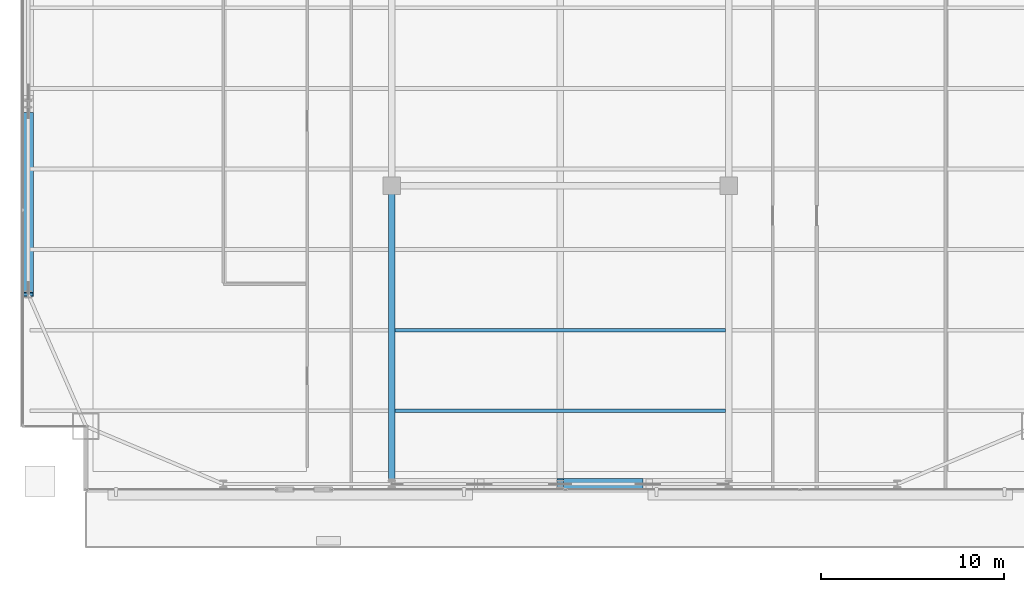
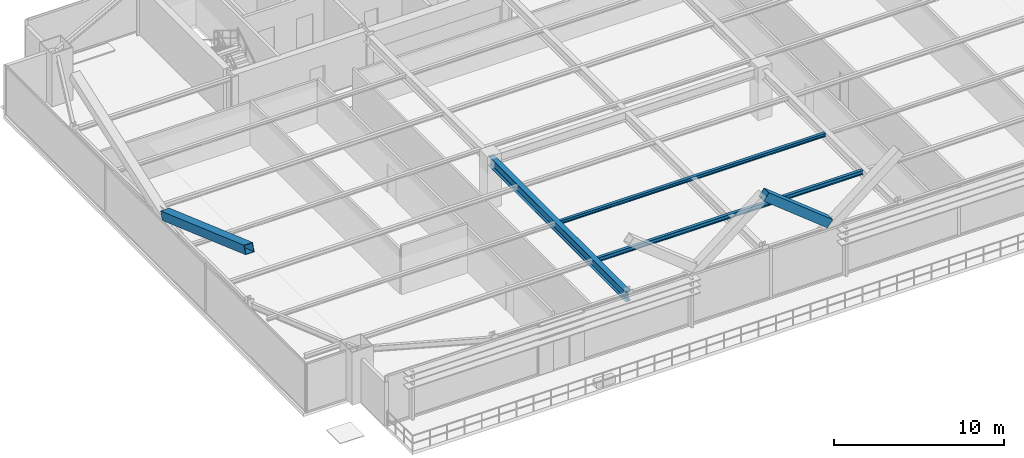
# One storey, part 7 of 35: 3 beams, 2 members.
"""IFC4 building model written with IfcOpenShell, lengths in metres."""

import ifcopenshell
import ifcopenshell.guid

model = None  # the IFC model being written
_history = None  # IfcOwnerHistory: only IFC2X3 demands one
_inside = {}  # id of a spatial element -> (the spatial element, [elements in it])
_under = {}  # id of a project, library or spatial element -> (it, [spatial elements below it])
_declared = {}  # id of a project -> (the project, [libraries it declares])
_typed = {}  # id of a type object -> (the type object, [elements of that type])
_made_of = {}  # id of a material, layer set ... -> (it, [elements and type objects made of it])


def new_model(schema):
    """Start an empty IFC model of exactly this schema.

    Asked for "IFC4X3", IfcOpenShell would pick the latest addendum, in which some entities
    have other attributes; the version numbers below select the first issue.
    IFC2X3 requires an IfcOwnerHistory on every rooted entity: one is made here for all.
    """
    global model, _history
    if schema == "IFC4X3":
        model = ifcopenshell.file(schema_version=(4, 3, 0, 0))
    else:
        model = ifcopenshell.file(schema=schema)
    _inside.clear()
    _under.clear()
    _declared.clear()
    _typed.clear()
    _made_of.clear()
    _history = None
    if model.schema == "IFC2X3":
        org = make("IfcOrganization", Name="unknown")
        user = make(
            "IfcPersonAndOrganization",
            ThePerson=make("IfcPerson", FamilyName="unknown"),
            TheOrganization=org,
        )
        app = make(
            "IfcApplication",
            ApplicationDeveloper=org,
            Version="unknown",
            ApplicationFullName="unknown",
            ApplicationIdentifier="unknown",
        )
        _history = make(
            "IfcOwnerHistory",
            OwningUser=user,
            OwningApplication=app,
            ChangeAction="ADDED",
            CreationDate=0,
        )
    return model


def make(cls, **values):
    """One entity of the class cls with the attributes given. An attribute that is None is left unset."""
    return model.create_entity(
        cls, **{name: value for name, value in values.items() if value is not None}
    )


def rooted(cls, **values):
    """An entity with a GlobalId (a new one), such as an element, a storey or a relation."""
    return make(cls, GlobalId=ifcopenshell.guid.new(), OwnerHistory=_history, **values)


def si_unit(unit_type, name, prefix=None):
    """IfcSIUnit, for example si_unit("LENGTHUNIT", "METRE", prefix="MILLI")."""
    return make("IfcSIUnit", UnitType=unit_type, Prefix=prefix, Name=name)


def assignment(units):
    """IfcUnitAssignment: the units of a project."""
    return None if units is None else make("IfcUnitAssignment", Units=units)


def point(xyz):
    """IfcCartesianPoint."""
    return None if xyz is None else make("IfcCartesianPoint", Coordinates=xyz)


def direction(xyz):
    """IfcDirection."""
    return None if xyz is None else make("IfcDirection", DirectionRatios=xyz)


def frame(location, z_axis=None, x_axis=None):
    """IfcAxis2Placement3D, a coordinate frame: its origin and axes. An axis left out is left unset."""
    return make(
        "IfcAxis2Placement3D",
        Location=point(location),
        Axis=direction(z_axis),
        RefDirection=direction(x_axis),
    )


def frame_2d(location, x_axis=None):
    """IfcAxis2Placement2D, a coordinate frame in the plane: its origin and x axis."""
    return make(
        "IfcAxis2Placement2D", Location=point(location), RefDirection=direction(x_axis)
    )


def origin():
    """The frame at (0, 0, 0) with its axes left unset."""
    return frame((0.0, 0.0, 0.0))


def origin_2d():
    """The frame at (0, 0) in the plane with its x axis left unset."""
    return frame_2d((0.0, 0.0))


def place(relative_to, where):
    """IfcLocalPlacement: puts the frame where relative to a parent placement (None: the world)."""
    return make(
        "IfcLocalPlacement", PlacementRelTo=relative_to, RelativePlacement=where
    )


def context(
    kind, dimensions, precision=None, world=None, true_north=None, identifier=None
):
    """IfcGeometricRepresentationContext, for example the 3D "Model" context."""
    return make(
        "IfcGeometricRepresentationContext",
        ContextIdentifier=identifier,
        ContextType=kind,
        CoordinateSpaceDimension=dimensions,
        Precision=precision,
        WorldCoordinateSystem=world,
        TrueNorth=true_north,
    )


def subcontext(parent, identifier, kind, view, scale=None):
    """IfcGeometricRepresentationSubContext, for example "Body" below "Model"."""
    return make(
        "IfcGeometricRepresentationSubContext",
        ContextIdentifier=identifier,
        ContextType=kind,
        ParentContext=parent,
        TargetScale=scale,
        TargetView=view,
    )


def project(units=None, contexts=None):
    """IfcProject with its units and contexts."""
    return rooted(
        "IfcProject",
        Name="project",
        RepresentationContexts=contexts,
        UnitsInContext=assignment(units),
    )


def spatial(cls, under=None, at=None, **own):
    """A site, building, storey or space (cls), placed at a placement, below another one or the project."""
    s = rooted(cls, ObjectPlacement=at, **own)
    if under is not None:
        _under.setdefault(under.id(), (under, []))[1].append(s)
    return s


def profile(cls, at=None, kind="AREA", **sizes):
    """A parametric profile (cls). Its sizes go by their IFC names, for example OverallWidth=200.0."""
    return make(cls, ProfileType=kind, Position=at, **sizes)


def hollow_rectangle(**sizes):
    """IfcRectangleHollowProfileDef."""
    return profile("IfcRectangleHollowProfileDef", **sizes)


def i_section(**sizes):
    """IfcIShapeProfileDef."""
    return profile("IfcIShapeProfileDef", **sizes)


def extrude(swept, where, along, depth):
    """IfcExtrudedAreaSolid: the profile swept, set in the frame where, extruded along a direction by depth."""
    return make(
        "IfcExtrudedAreaSolid",
        SweptArea=swept,
        Position=where,
        ExtrudedDirection=direction(along),
        Depth=depth,
    )


def shape(context_of_items, identifier, shape_type, items):
    """IfcShapeRepresentation: the items that make up one representation, for example the "Body"."""
    return make(
        "IfcShapeRepresentation",
        ContextOfItems=context_of_items,
        RepresentationIdentifier=identifier,
        RepresentationType=shape_type,
        Items=items,
    )


def source(mapping_origin, context_of_items, identifier, shape_type, items):
    """IfcRepresentationMap: a shape defined once, which mapped items show again and again."""
    return make(
        "IfcRepresentationMap",
        MappingOrigin=mapping_origin,
        MappedRepresentation=shape(context_of_items, identifier, shape_type, items),
    )


def transform(
    local_origin,
    x_axis=None,
    y_axis=None,
    z_axis=None,
    scale=None,
    scale2=None,
    scale3=None,
    uniform=True,
):
    """IfcCartesianTransformationOperator3D, or its non-uniform kind. x_axis, y_axis, z_axis: its Axis1, 2, 3."""
    if uniform:
        return make(
            "IfcCartesianTransformationOperator3D",
            Axis1=direction(x_axis),
            Axis2=direction(y_axis),
            LocalOrigin=point(local_origin),
            Scale=scale,
            Axis3=direction(z_axis),
        )
    return make(
        "IfcCartesianTransformationOperator3DnonUniform",
        Axis1=direction(x_axis),
        Axis2=direction(y_axis),
        LocalOrigin=point(local_origin),
        Scale=scale,
        Axis3=direction(z_axis),
        Scale2=scale2,
        Scale3=scale3,
    )


def mapped(mapping_source, mapping_target):
    """IfcMappedItem: shows the shape of a source again, moved by a transform."""
    return make(
        "IfcMappedItem", MappingSource=mapping_source, MappingTarget=mapping_target
    )


def material(Name=None, Category=None):
    """IfcMaterial."""
    return make("IfcMaterial", Name=Name, Category=Category)


def material_profile(
    of_material, cross_section, Name=None, Category=None, Priority=None
):
    """IfcMaterialProfile: a cross section and its material."""
    return make(
        "IfcMaterialProfile",
        Name=Name,
        Material=of_material,
        Profile=cross_section,
        Priority=Priority,
        Category=Category,
    )


def profile_set(profiles, Name=None, composite=None):
    """IfcMaterialProfileSet."""
    return make(
        "IfcMaterialProfileSet",
        Name=Name,
        MaterialProfiles=profiles,
        CompositeProfile=composite,
    )


def made_of(thing, what):
    """Note that an element or type object is made of a material, layer set ...; save() writes the relation."""
    if what is not None:
        _made_of.setdefault(what.id(), (what, []))[1].append(thing)
    return thing


def type_object(cls, material=None, **own):
    """A type object (cls), such as IfcWallType, which elements share."""
    return made_of(rooted(cls, **own), material)


def type_shapes(of_type, sources):
    """Give a type object the sources (RepresentationMaps) that its elements show as mapped items."""
    of_type.RepresentationMaps = sources


def element(
    cls,
    number,
    at=None,
    inside=None,
    cuts=None,
    type_object=None,
    material=None,
    context=None,
    identifier="Body",
    shape_type=None,
    held_by="IfcProductDefinitionShape",
    body=None,
    shapes=None,
    **own,
):
    """One element of the class cls, such as IfcWall. Its Tag is "e" and its number.

    at: its placement. inside: the storey or other place that contains it. cuts: it is an
    opening in that element (IfcRelVoidsElement). A single representation is given by context,
    identifier, shape_type and body (its items); several are given by shapes. held_by: the class
    of the entity that holds the representations. save() writes the other relations.
    """
    e = rooted(cls, Tag="e%d" % number, ObjectPlacement=at, **own)
    if body is not None:
        shapes = [shape(context, identifier, shape_type, body)]
    if shapes is not None:
        e.Representation = make(held_by, Representations=shapes)
    if inside is not None:
        _inside.setdefault(inside.id(), (inside, []))[1].append(e)
    if cuts is not None:
        rooted(
            "IfcRelVoidsElement", RelatingBuildingElement=cuts, RelatedOpeningElement=e
        )
    if type_object is not None:
        _typed.setdefault(type_object.id(), (type_object, []))[1].append(e)
    return made_of(e, material)


def aggregate(whole, parts):
    """IfcRelAggregates: a whole, such as a stair, and the parts it consists of."""
    return rooted("IfcRelAggregates", RelatingObject=whole, RelatedObjects=parts)


def save(model, path):
    """Write the relations noted so far, then the file.

    IfcRelAggregates (storeys below a building ...), IfcRelContainedInSpatialStructure (elements
    in a storey), IfcRelDefinesByType, IfcRelAssociatesMaterial and IfcRelDeclares: one each for
    every whole, place, type object, material and project.
    """
    for whole, parts in _under.values():
        aggregate(whole, parts)
    for where, things in _inside.values():
        rooted(
            "IfcRelContainedInSpatialStructure",
            RelatedElements=things,
            RelatingStructure=where,
        )
    for kind, things in _typed.values():
        rooted("IfcRelDefinesByType", RelatedObjects=things, RelatingType=kind)
    for what, things in _made_of.values():
        rooted("IfcRelAssociatesMaterial", RelatedObjects=things, RelatingMaterial=what)
    for by, libraries in _declared.values():
        rooted("IfcRelDeclares", RelatingContext=by, RelatedDefinitions=libraries)
    model.write(path)


model = new_model("IFC4")

# Units and contexts
model_context = context("Model", 3, precision=1e-05, world=origin(), true_north=direction((0.0, 1.0)))
body_context = subcontext(model_context, "Body", "Model", "MODEL_VIEW")
ifc_project = project(units=[si_unit("LENGTHUNIT", "METRE"), si_unit("AREAUNIT", "SQUARE_METRE"), si_unit("VOLUMEUNIT", "CUBIC_METRE"), si_unit("PLANEANGLEUNIT", "RADIAN"), si_unit("MASSUNIT", "GRAM", prefix="KILO")], contexts=[model_context])

# Site, building, storey
site_placement = place(None, origin())
site = spatial("IfcSite", under=ifc_project, at=site_placement, CompositionType="ELEMENT")
building_placement = place(site_placement, origin())
building = spatial("IfcBuilding", under=site, at=building_placement, Name="Varnel Quay Broadcast Tower", CompositionType="ELEMENT")
storey_placement = place(building_placement, frame((0.0, 0.0, 87.0)))
storey = spatial("IfcBuildingStorey", under=building, at=storey_placement, Name="L20", CompositionType="ELEMENT", Elevation=87.0)

# Beams
ifc_material_1 = material(Name="Structural Steel CSA G40.21 350W", Category="steel")
ifc_material_profile_1 = material_profile(ifc_material_1, i_section(OverallWidth=0.35498046875, OverallDepth=0.695068359375, WebThickness=0.015380859375, FlangeThickness=0.02490234375, FilletRadius=0.01806640625, at=origin_2d()), Name="W690X217")
ifc_profile_set_1 = profile_set([ifc_material_profile_1], Name="Structural Steel CSA G40.21 350W")
beam_type_1 = type_object("IfcBeamType", Name="Girder_W690X217", PredefinedType="BEAM", material=ifc_profile_set_1)
shared_shape_1 = source(origin(), body_context, "Body", "SweptSolid", [
    extrude(i_section(OverallWidth=0.35498046875, OverallDepth=0.695068359375, WebThickness=0.015380859375, FlangeThickness=0.02490234375, FilletRadius=0.01806640625, at=origin_2d()), origin(), (0.0, 0.0, 1.0), 16.239990234375),
])
type_shapes(beam_type_1, [shared_shape_1])
beam_1_placement = place(storey_placement, frame((24.800048828125, 4.669921875, 3.202392578125), z_axis=(0.0, 1.0, 0.0), x_axis=(-1.0, 0.0, 0.0)))
element("IfcBeam", 1, at=beam_1_placement, inside=storey, type_object=beam_type_1, Name="L20 Primary Girder TC-S2-IC-01", PredefinedType="BEAM", context=body_context, shape_type="MappedRepresentation", body=[
    mapped(shared_shape_1, transform((0.0, 0.0, 0.0), x_axis=(1.0, 0.0, 0.0), y_axis=(0.0, 1.0, 0.0), z_axis=(0.0, 0.0, 1.0), scale=1.0)),
])
ifc_material_profile_2 = material_profile(ifc_material_1, i_section(OverallWidth=0.202880859375, OverallDepth=0.302978515625, WebThickness=0.007568359375, FlangeThickness=0.01318359375, FilletRadius=0.011962890625, at=origin_2d()), Name="W310X60")
ifc_profile_set_2 = profile_set([ifc_material_profile_2], Name="Structural Steel CSA G40.21 350W")
beam_type_2 = type_object("IfcBeamType", Name="Beam_W310X60", PredefinedType="JOIST", material=ifc_profile_set_2)
shared_shape_2 = source(origin(), body_context, "Body", "SweptSolid", [
    extrude(i_section(OverallWidth=0.202880859375, OverallDepth=0.302978515625, WebThickness=0.007568359375, FlangeThickness=0.01318359375, FilletRadius=0.011962890625, at=origin_2d()), origin(), (0.0, 0.0, 1.0), 18.05517578125),
])
type_shapes(beam_type_2, [shared_shape_2])
beam_2_placement = place(storey_placement, frame((24.972412109375, 8.64990234375, 3.3984375), z_axis=(1.0, 0.0, 0.0), x_axis=(0.0, 1.0, 0.0)))
element("IfcBeam", 2, at=beam_2_placement, inside=storey, type_object=beam_type_2, Name="L20 Central Floor Joist 1", PredefinedType="JOIST", context=body_context, shape_type="MappedRepresentation", body=[
    mapped(shared_shape_2, transform((0.0, 0.0, 0.0), x_axis=(1.0, 0.0, 0.0), y_axis=(0.0, 1.0, 0.0), z_axis=(0.0, 0.0, 1.0), scale=1.0)),
])
ifc_material_profile_3 = material_profile(ifc_material_1, i_section(OverallWidth=0.201904296875, OverallDepth=0.2470703125, WebThickness=0.00732421875, FlangeThickness=0.010986328125, FilletRadius=0.010986328125, at=origin_2d()), Name="W250X49")
ifc_profile_set_3 = profile_set([ifc_material_profile_3], Name="Structural Steel CSA G40.21 350W")
beam_type_3 = type_object("IfcBeamType", Name="Beam_W250X49", PredefinedType="JOIST", material=ifc_profile_set_3)
shared_shape_3 = source(origin(), body_context, "Body", "SweptSolid", [
    extrude(i_section(OverallWidth=0.201904296875, OverallDepth=0.2470703125, WebThickness=0.00732421875, FlangeThickness=0.010986328125, FilletRadius=0.010986328125, at=origin_2d()), origin(), (0.0, 0.0, 1.0), 18.05517578125),
])
type_shapes(beam_type_3, [shared_shape_3])
beam_3_placement = place(storey_placement, frame((24.972412109375, 13.050048828125, 3.426513671875), z_axis=(1.0, 0.0, 0.0), x_axis=(0.0, 1.0, 0.0)))
element("IfcBeam", 3, at=beam_3_placement, inside=storey, type_object=beam_type_3, Name="L20 Central Floor Joist 2", PredefinedType="JOIST", context=body_context, shape_type="MappedRepresentation", body=[
    mapped(shared_shape_3, transform((0.0, 0.0, 0.0), x_axis=(1.0, 0.0, 0.0), y_axis=(0.0, 1.0, 0.0), z_axis=(0.0, 0.0, 1.0), scale=1.0)),
])

# Members
ifc_material_2 = material(Name="Structural Steel CSA G40.21 350WT", Category="steel")
ifc_material_profile_4 = material_profile(ifc_material_2, hollow_rectangle(XDim=0.60009765625, YDim=0.60009765625, WallThickness=0.028076171875, at=origin_2d()), Name="BOX600X600X28")
ifc_profile_set_4 = profile_set([ifc_material_profile_4], Name="Structural Steel CSA G40.21 350WT")
member_type = type_object("IfcMemberType", Name="Brace_BOX600X600X28", PredefinedType="BRACE", material=ifc_profile_set_4)
shared_shape_4 = source(origin(), body_context, "Body", "SweptSolid", [
    extrude(hollow_rectangle(XDim=0.60009765625, YDim=0.60009765625, WallThickness=0.028076171875, at=origin_2d()), origin(), (0.0, 0.0, 1.0), 5.54248046875),
])
member_1_placement = place(storey_placement, frame((38.33935546875, 4.64990234375, 3.882080078125), z_axis=(-0.782931626788, 0.0, 0.622107762188), x_axis=(0.0, -1.0, 0.0)))
element("IfcMember", 4, at=member_1_placement, inside=storey, type_object=member_type, Name="Zone 2 Mega-Brace S-C2T1 Split Diag B2", PredefinedType="BRACE", context=body_context, shape_type="MappedRepresentation", body=[
    mapped(shared_shape_4, transform((0.0, 0.0, 0.0), x_axis=(1.0, 0.0, 0.0), y_axis=(0.0, 1.0, 0.0), z_axis=(0.0, 0.0, 1.0), scale=1.0)),
])
shared_shape_5 = source(origin(), body_context, "Body", "SweptSolid", [
    extrude(hollow_rectangle(XDim=0.60009765625, YDim=0.60009765625, WallThickness=0.028076171875, at=origin_2d()), origin(), (0.0, 0.0, 1.0), 10.42822265625),
])
type_shapes(member_type, [shared_shape_4, shared_shape_5])
member_2_placement = place(storey_placement, frame((4.949951171875, 24.827880859375, 3.842529296875), z_axis=(0.0, -0.942420605046, 0.334429967534), x_axis=(1.0, 0.0, 0.0)))
element("IfcMember", 5, at=member_2_placement, inside=storey, type_object=member_type, Name="Zone 2 Mega-Brace W-FT1 Split Diag B2", PredefinedType="BRACE", context=body_context, shape_type="MappedRepresentation", body=[
    mapped(shared_shape_5, transform((0.0, 0.0, 0.0), x_axis=(1.0, 0.0, 0.0), y_axis=(0.0, 1.0, 0.0), z_axis=(0.0, 0.0, 1.0), scale=1.0)),
])

save(model, "model.ifc")
